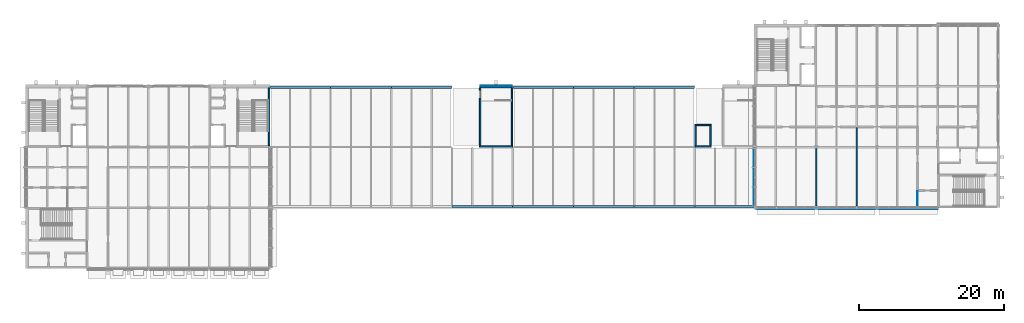
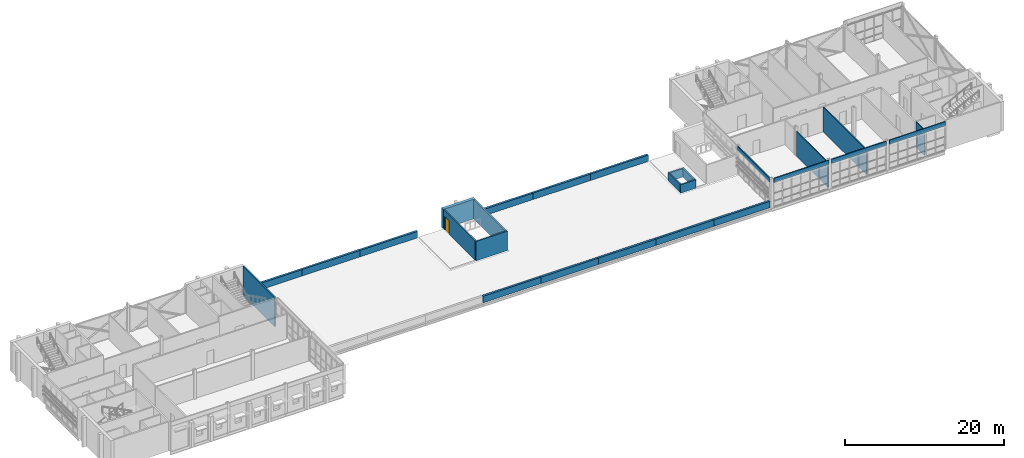
# One storey, part 22 of 29: 27 walls, 1 door, 1 opening.
"""IFC4 building model written with IfcOpenShell, lengths in metres."""

from ifc_helpers import new_model, si_unit, direction, frame, frame_2d, origin, place, context, subcontext, project, spatial, rectangle, extrude, material, layer, layer_set, type_object, element, fill, save


model = new_model("IFC4")

# Units and contexts
model_context = context("Model", 3, precision=1e-05, world=origin(), true_north=direction((0.0, 1.0)))
body_context = subcontext(model_context, "Body", "Model", "MODEL_VIEW")
ifc_project = project(units=[si_unit("LENGTHUNIT", "METRE"), si_unit("AREAUNIT", "SQUARE_METRE"), si_unit("VOLUMEUNIT", "CUBIC_METRE"), si_unit("PLANEANGLEUNIT", "RADIAN"), si_unit("MASSUNIT", "GRAM", prefix="KILO")], contexts=[model_context])

# Site, building, storey
site_placement = place(None, origin())
site = spatial("IfcSite", under=ifc_project, at=site_placement, CompositionType="ELEMENT")
building_placement = place(site_placement, origin())
building = spatial("IfcBuilding", under=site, at=building_placement, Name="Ardhachandra Cancer Care Centre", CompositionType="ELEMENT")
storey_placement = place(building_placement, frame((0.0, 0.0, 13.5)))
storey = spatial("IfcBuildingStorey", under=building, at=storey_placement, Name="L03", CompositionType="ELEMENT", Elevation=13.5)

# Walls
ifc_material_1 = material(Name="Brick masonry (clay brick, cement mortar) with Precast Concrete M25 coping", Category="masonry")
ifc_layer_1 = layer(ifc_material_1, 0.300048828125)
ifc_layer_set_1 = layer_set([ifc_layer_1], Name="Brick masonry (clay brick, cement mortar) with Precast Concrete M25 coping")
wall_type_1 = type_object("IfcWallType", Name="Brick parapet 300", PredefinedType="PARAPET", material=ifc_layer_set_1)
wall_1_placement = place(storey_placement, frame((78.02001953125, 96.449951171875, 0.0), z_axis=(0.0, 0.0, 1.0), x_axis=(1.0, 0.0, 0.0)))
element("IfcWall", 1, at=wall_1_placement, inside=storey, type_object=wall_type_1, Name="Parapet V1-strip L03 1", PredefinedType="PARAPET", context=body_context, shape_type="SweptSolid", body=[
    extrude(rectangle(XDim=8.3798828125, YDim=0.300048828125, at=frame_2d((4.18994140625, 0.0))), origin(), (0.0, 0.0, 1.0), 1.0),
])
wall_2_placement = place(storey_placement, frame((86.39990234375, 96.449951171875, 0.0), z_axis=(0.0, 0.0, 1.0), x_axis=(1.0, 0.0, 0.0)))
element("IfcWall", 2, at=wall_2_placement, inside=storey, type_object=wall_type_1, Name="Parapet V1-strip L03 2", PredefinedType="PARAPET", context=body_context, shape_type="SweptSolid", body=[
    extrude(rectangle(XDim=8.400146484375, YDim=0.300048828125, at=frame_2d((4.2001953125, 0.0))), origin(), (0.0, 0.0, 1.0), 1.0),
])
wall_3_placement = place(storey_placement, frame((94.800048828125, 96.449951171875, 0.0), z_axis=(0.0, 0.0, 1.0), x_axis=(1.0, 0.0, 0.0)))
element("IfcWall", 3, at=wall_3_placement, inside=storey, type_object=wall_type_1, Name="Parapet V1-strip L03 3", PredefinedType="PARAPET", context=body_context, shape_type="SweptSolid", body=[
    extrude(rectangle(XDim=8.3798828125, YDim=0.300048828125, at=frame_2d((4.18994140625, 0.0))), origin(), (0.0, 0.0, 1.0), 1.0),
])
wall_4_placement = place(storey_placement, frame((44.419921875, 96.449951171875, 0.0), z_axis=(0.0, 0.0, 1.0), x_axis=(1.0, 0.0, 0.0)))
element("IfcWall", 4, at=wall_4_placement, inside=storey, type_object=wall_type_1, Name="Parapet V1-strip L03 4", PredefinedType="PARAPET", context=body_context, shape_type="SweptSolid", body=[
    extrude(rectangle(XDim=8.380126953125, YDim=0.300048828125, at=frame_2d((4.18994140625, 0.0))), origin(), (0.0, 0.0, 1.0), 1.0),
])
wall_5_placement = place(storey_placement, frame((52.800048828125, 96.449951171875, 0.0), z_axis=(0.0, 0.0, 1.0), x_axis=(1.0, 0.0, 0.0)))
element("IfcWall", 5, at=wall_5_placement, inside=storey, type_object=wall_type_1, Name="Parapet V1-strip L03 5", PredefinedType="PARAPET", context=body_context, shape_type="SweptSolid", body=[
    extrude(rectangle(XDim=8.39990234375, YDim=0.300048828125, at=frame_2d((4.199951171875, 0.0))), origin(), (0.0, 0.0, 1.0), 1.0),
])
wall_6_placement = place(storey_placement, frame((61.199951171875, 96.449951171875, 0.0), z_axis=(0.0, 0.0, 1.0), x_axis=(1.0, 0.0, 0.0)))
element("IfcWall", 6, at=wall_6_placement, inside=storey, type_object=wall_type_1, Name="Parapet V1-strip L03 6", PredefinedType="PARAPET", context=body_context, shape_type="SweptSolid", body=[
    extrude(rectangle(XDim=8.380126953125, YDim=0.300048828125, at=frame_2d((4.18994140625, 0.0))), origin(), (0.0, 0.0, 1.0), 1.0),
])
for number, where, z_axis, x_axis, name in (
    (7, (69.60009765625, 79.949951171875, 0.0), (0.0, 0.0, 1.0), (1.0, 0.0, 0.0), "Parapet V1-strip L03 10"),
    (8, (78.0, 79.949951171875, 0.0), (0.0, 0.0, 1.0), (1.0, 0.0, 0.0), "Parapet V1-strip L03 11"),
):
    element("IfcWall", number, at=place(storey_placement, frame(where, z_axis=z_axis, x_axis=x_axis)), inside=storey, type_object=wall_type_1, Name=name, PredefinedType="PARAPET", context=body_context, shape_type="SweptSolid", body=[
        extrude(rectangle(XDim=8.39990234375, YDim=0.300048828125, at=frame_2d((4.199951171875, 0.0))), origin(), (0.0, 0.0, 1.0), 1.0),
    ])
wall_7_placement = place(storey_placement, frame((86.39990234375, 79.949951171875, 0.0), z_axis=(0.0, 0.0, 1.0), x_axis=(1.0, 0.0, 0.0)))
element("IfcWall", 9, at=wall_7_placement, inside=storey, type_object=wall_type_1, Name="Parapet V1-strip L03 12", PredefinedType="PARAPET", context=body_context, shape_type="SweptSolid", body=[
    extrude(rectangle(XDim=8.400146484375, YDim=0.300048828125, at=frame_2d((4.2001953125, 0.0))), origin(), (0.0, 0.0, 1.0), 1.0),
])
wall_8_placement = place(storey_placement, frame((94.800048828125, 79.949951171875, 0.0), z_axis=(0.0, 0.0, 1.0), x_axis=(1.0, 0.0, 0.0)))
element("IfcWall", 10, at=wall_8_placement, inside=storey, type_object=wall_type_1, Name="Parapet V1-strip L03 13", PredefinedType="PARAPET", context=body_context, shape_type="SweptSolid", body=[
    extrude(rectangle(XDim=8.39990234375, YDim=0.300048828125, at=frame_2d((4.199951171875, 0.0))), origin(), (0.0, 0.0, 1.0), 1.0),
])
wall_9_placement = place(storey_placement, frame((103.199951171875, 79.949951171875, 0.0), z_axis=(0.0, 0.0, 1.0), x_axis=(1.0, 0.0, 0.0)))
element("IfcWall", 11, at=wall_9_placement, inside=storey, type_object=wall_type_1, Name="Parapet V1-strip L03 14", PredefinedType="PARAPET", context=body_context, shape_type="SweptSolid", body=[
    extrude(rectangle(XDim=8.1826171875, YDim=0.300048828125, at=frame_2d((4.09130859375, 0.0))), origin(), (0.0, 0.0, 1.0), 1.0),
])
ifc_material_2 = material(Name="Concrete M40", Category="concrete")
ifc_layer_2 = layer(ifc_material_2, 0.449951171875)
ifc_layer_set_2 = layer_set([ifc_layer_2], Name="Concrete M40")
wall_type_2 = type_object("IfcWallType", Name="Core exterior wall RC 450", PredefinedType="SOLIDWALL", material=ifc_layer_set_2)
wall_10_placement = place(storey_placement, frame((78.0, 96.60009765625, 0.0), z_axis=(0.0, 0.0, 1.0), x_axis=(-1.0, 0.0, 0.0)))
element("IfcWall", 12, at=wall_10_placement, inside=storey, type_object=wall_type_2, Name="Stair head-house wall K8 FAR", PredefinedType="SOLIDWALL", context=body_context, shape_type="SweptSolid", body=[
    extrude(rectangle(XDim=4.60009765625, YDim=0.449951171875, at=frame_2d((2.300048828125, 0.0))), origin(), (0.0, 0.0, 1.0), 3.0),
])
ifc_material_3 = material(Name="Concrete M40", Category="concrete")
ifc_layer_3 = layer(ifc_material_3, 0.199951171875)
ifc_layer_set_3 = layer_set([ifc_layer_3], Name="Concrete M40")
wall_type_3 = type_object("IfcWallType", Name="Core wall RC 200", PredefinedType="SOLIDWALL", material=ifc_layer_set_3)
wall_11_placement = place(storey_placement, frame((44.300048828125, 88.39990234375, 0.0), z_axis=(0.0, 0.0, 1.0), x_axis=(0.0, 1.0, 0.0)))
element("IfcWall", 13, at=wall_11_placement, inside=storey, type_object=wall_type_3, Name="Core wall K5 UW", PredefinedType="SOLIDWALL", context=body_context, shape_type="SweptSolid", body=[
    extrude(rectangle(XDim=7.97509765625, YDim=0.199951171875, at=frame_2d((3.987548828125, 0.0))), origin(), (0.0, 0.0, 1.0), 4.5),
])
wall_12_placement = place(storey_placement, frame((105.35009765625, 88.39990234375, 0.0), z_axis=(0.0, 0.0, 1.0), x_axis=(0.0, 1.0, 0.0)))
element("IfcWall", 14, at=wall_12_placement, inside=storey, type_object=wall_type_3, Name="Lift overrun wall K7A P2A", PredefinedType="SOLIDWALL", context=body_context, shape_type="SweptSolid", body=[
    extrude(rectangle(XDim=2.9501953125, YDim=0.199951171875, at=frame_2d((1.47509765625, 0.0))), origin(), (0.0, 0.0, 1.0), 1.300048828125),
])
wall_13_placement = place(storey_placement, frame((105.25, 91.25, 0.0), z_axis=(0.0, 0.0, 1.0), x_axis=(-1.0, 0.0, 0.0)))
element("IfcWall", 15, at=wall_13_placement, inside=storey, type_object=wall_type_3, Name="Lift overrun wall K7A W1", PredefinedType="SOLIDWALL", context=body_context, shape_type="SweptSolid", body=[
    extrude(rectangle(XDim=1.85009765625, YDim=0.199951171875, at=frame_2d((0.925048828125, 0.0))), origin(), (0.0, 0.0, 1.0), 1.300048828125),
])
wall_14_placement = place(storey_placement, frame((105.449951171875, 88.300048828125, 0.0), z_axis=(0.0, 0.0, 1.0), x_axis=(-1.0, 0.0, 0.0)))
element("IfcWall", 16, at=wall_14_placement, inside=storey, type_object=wall_type_3, Name="Lift overrun wall K7A ENT", PredefinedType="SOLIDWALL", context=body_context, shape_type="SweptSolid", body=[
    extrude(rectangle(XDim=2.25, YDim=0.199951171875, at=frame_2d((1.125, 0.0))), origin(), (0.0, 0.0, 1.0), 1.300048828125),
])
wall_15_placement = place(storey_placement, frame((103.300048828125, 88.39990234375, 0.0), z_axis=(0.0, 0.0, 1.0), x_axis=(0.0, 1.0, 0.0)))
element("IfcWall", 17, at=wall_15_placement, inside=storey, type_object=wall_type_3, Name="Lift overrun wall K7A UE", PredefinedType="SOLIDWALL", context=body_context, shape_type="SweptSolid", body=[
    extrude(rectangle(XDim=2.9501953125, YDim=0.199951171875, at=frame_2d((1.47509765625, 0.0))), origin(), (0.0, 0.0, 1.0), 1.300048828125),
])
wall_16_placement = place(storey_placement, frame((78.0, 88.300048828125, 0.0), z_axis=(0.0, 0.0, 1.0), x_axis=(-1.0, 0.0, 0.0)))
element("IfcWall", 18, at=wall_16_placement, inside=storey, type_object=wall_type_3, Name="Stair head-house wall K8 ENT", PredefinedType="SOLIDWALL", context=body_context, shape_type="SweptSolid", body=[
    extrude(rectangle(XDim=4.60009765625, YDim=0.199951171875, at=frame_2d((2.300048828125, 0.0))), origin(), (0.0, 0.0, 1.0), 3.0),
])
wall_17_placement = place(storey_placement, frame((77.89990234375, 88.39990234375, 0.0), z_axis=(0.0, 0.0, 1.0), x_axis=(0.0, 1.0, 0.0)))
element("IfcWall", 19, at=wall_17_placement, inside=storey, type_object=wall_type_3, Name="Stair head-house wall K8 UW", PredefinedType="SOLIDWALL", context=body_context, shape_type="SweptSolid", body=[
    extrude(rectangle(XDim=7.97509765625, YDim=0.199951171875, at=frame_2d((3.987548828125, 0.0))), origin(), (0.0, 0.0, 1.0), 3.0),
])

# Wall, opening, door
wall_18_placement = place(storey_placement, frame((73.5, 88.39990234375, 0.0), z_axis=(0.0, 0.0, 1.0), x_axis=(0.0, 1.0, 0.0)))
wall_18 = element("IfcWall", 20, at=wall_18_placement, inside=storey, type_object=wall_type_3, Name="Stair head-house wall K8 P1", PredefinedType="SOLIDWALL", context=body_context, shape_type="SweptSolid", body=[
    extrude(rectangle(XDim=7.97509765625, YDim=0.199951171875, at=frame_2d((3.987548828125, 0.0))), origin(), (0.0, 0.0, 1.0), 3.0),
])
opening_placement = place(wall_18_placement, frame((6.53759765625, 0.0, 0.0)))
opening = element("IfcOpeningElement", 21, at=opening_placement, cuts=wall_18, Name="Opening L03-K08-1", PredefinedType="OPENING", context=body_context, shape_type="SweptSolid", body=[
    extrude(rectangle(XDim=1.10009765625, YDim=2.10009765625, at=frame_2d((0.550048828125, 1.050048828125))), frame((0.0, 0.10986328125, 0.0), z_axis=(0.0, -1.0, 0.0), x_axis=(1.0, 0.0, 0.0)), (0.0, 0.0, 1.0), 0.219970703125),
])
ifc_material_4 = material(Name="Steel door set", Category="steel")
door_type = type_object("IfcDoorType", Name="Stair door 1100x2100 FD60S", OperationType="NOTDEFINED", PredefinedType="DOOR", material=ifc_material_4)
door_placement = place(opening_placement, origin())
door = element("IfcDoor", 22, at=door_placement, inside=storey, type_object=door_type, Name="Head-house door", OperationType="SINGLE_SWING_RIGHT", OverallHeight=2.10009765625, OverallWidth=1.10009765625, PredefinedType="DOOR", context=body_context, shape_type="SweptSolid", body=[
    extrude(rectangle(XDim=1.10009765625, YDim=2.10009765625, at=frame_2d((0.550048828125, 1.050048828125))), frame((0.0, 0.02490234375, 0.0), z_axis=(0.0, -1.0, 0.0), x_axis=(1.0, 0.0, 0.0)), (0.0, 0.0, 1.0), 0.050048828125),
])
fill(opening, door)

# Walls
ifc_material_5 = material(Name="Precast Concrete M30 fascia panel with brick slip facing", Category="masonry")
ifc_layer_4 = layer(ifc_material_5, 0.1298828125)
ifc_layer_set_4 = layer_set([ifc_layer_4], Name="Precast Concrete M30 fascia panel with brick slip facing")
wall_type_4 = type_object("IfcWallType", Name="Edge beam fascia 130", PredefinedType="SOLIDWALL", material=ifc_layer_set_4)
for number, where, z_axis, x_axis, name in (
    (23, (111.797607421875, 79.639892578125, 3.8701171875), (0.0, 0.0, 1.0), (1.0, 0.0, 0.0), "E/fascia/L03/s/0111600_0079800"),
    (24, (120.197509765625, 79.639892578125, 3.8701171875), (0.0, 0.0, 1.0), (1.0, 0.0, 0.0), "E/fascia/L03/s/0120000_0079800"),
):
    element("IfcWall", number, at=place(storey_placement, frame(where, z_axis=z_axis, x_axis=x_axis)), inside=storey, type_object=wall_type_4, Name=name, PredefinedType="SOLIDWALL", context=body_context, shape_type="SweptSolid", body=[
        extrude(rectangle(XDim=8.0048828125, YDim=0.1298828125, at=frame_2d((4.00244140625, 0.0))), origin(), (0.0, 0.0, 1.0), 0.6298828125),
    ])
wall_19_placement = place(storey_placement, frame((128.597412109375, 79.639892578125, 3.8701171875), z_axis=(0.0, 0.0, 1.0), x_axis=(1.0, 0.0, 0.0)))
element("IfcWall", 25, at=wall_19_placement, inside=storey, type_object=wall_type_4, Name="E/fascia/L03/s/0128400_0079800", PredefinedType="SOLIDWALL", context=body_context, shape_type="SweptSolid", body=[
    extrude(rectangle(XDim=8.20263671875, YDim=0.1298828125, at=frame_2d((4.101318359375, 0.0))), origin(), (0.0, 0.0, 1.0), 0.6298828125),
])
wall_20_placement = place(storey_placement, frame((111.43994140625, 79.989990234375, 3.8701171875), z_axis=(0.0, 0.0, 1.0), x_axis=(0.0, 1.0, 0.0)))
element("IfcWall", 26, at=wall_20_placement, inside=storey, type_object=wall_type_4, Name="E/fascia/L03/w/0111600_0079800", PredefinedType="SOLIDWALL", context=body_context, shape_type="SweptSolid", body=[
    extrude(rectangle(XDim=8.06005859375, YDim=0.1298828125, at=frame_2d((4.030029296875, 0.0))), origin(), (0.0, 0.0, 1.0), 0.6298828125),
])
ifc_material_6 = material(Name="Gypsum board partition on steel studs", Category="steel")
ifc_layer_5 = layer(ifc_material_6, 0.14990234375)
ifc_layer_set_5 = layer_set([ifc_layer_5], Name="Gypsum board partition on steel studs")
wall_type_5 = type_object("IfcWallType", Name="PARTITION 150", PredefinedType="PARTITIONING", material=ifc_layer_set_5)
wall_21_placement = place(storey_placement, frame((120.0, 80.02490234375, 0.0), z_axis=(0.0, 0.0, 1.0), x_axis=(0.0, 1.0, 0.0)))
element("IfcWall", 27, at=wall_21_placement, inside=storey, type_object=wall_type_5, Name="R/wall/L03/v0120000_0080025", PredefinedType="PARTITIONING", context=body_context, shape_type="SweptSolid", body=[
    extrude(rectangle(XDim=7.9775390625, YDim=0.14990234375, at=frame_2d((3.98876953125, 0.0))), origin(), (0.0, 0.0, 1.0), 3.800048828125),
])
wall_22_placement = place(storey_placement, frame((125.60009765625, 80.02490234375, 0.0), z_axis=(0.0, 0.0, 1.0), x_axis=(0.0, 1.0, 0.0)))
element("IfcWall", 28, at=wall_22_placement, inside=storey, type_object=wall_type_5, Name="R/wall/L03/v0125600_0080025", PredefinedType="PARTITIONING", context=body_context, shape_type="SweptSolid", body=[
    extrude(rectangle(XDim=10.875, YDim=0.14990234375, at=frame_2d((5.4375, 0.0))), origin(), (0.0, 0.0, 1.0), 3.800048828125),
])
ifc_material_7 = material(Name="Concrete block masonry", Category="masonry")
ifc_layer_6 = layer(ifc_material_7, 0.10009765625)
ifc_layer_set_6 = layer_set([ifc_layer_6], Name="Concrete block masonry")
wall_type_6 = type_object("IfcWallType", Name="STORE PARTITION 100", PredefinedType="SOLIDWALL", material=ifc_layer_set_6)
wall_23_placement = place(storey_placement, frame((134.0, 80.02490234375, 0.0), z_axis=(0.0, 0.0, 1.0), x_axis=(0.0, 1.0, 0.0)))
element("IfcWall", 29, at=wall_23_placement, inside=storey, type_object=wall_type_6, Name="R/wall/L03/v0134000_0080025", PredefinedType="SOLIDWALL", context=body_context, shape_type="SweptSolid", body=[
    extrude(rectangle(XDim=2.0751953125, YDim=0.10009765625, at=frame_2d((1.03759765625, 0.0))), origin(), (0.0, 0.0, 1.0), 3.949951171875),
])

save(model, "model.ifc")
